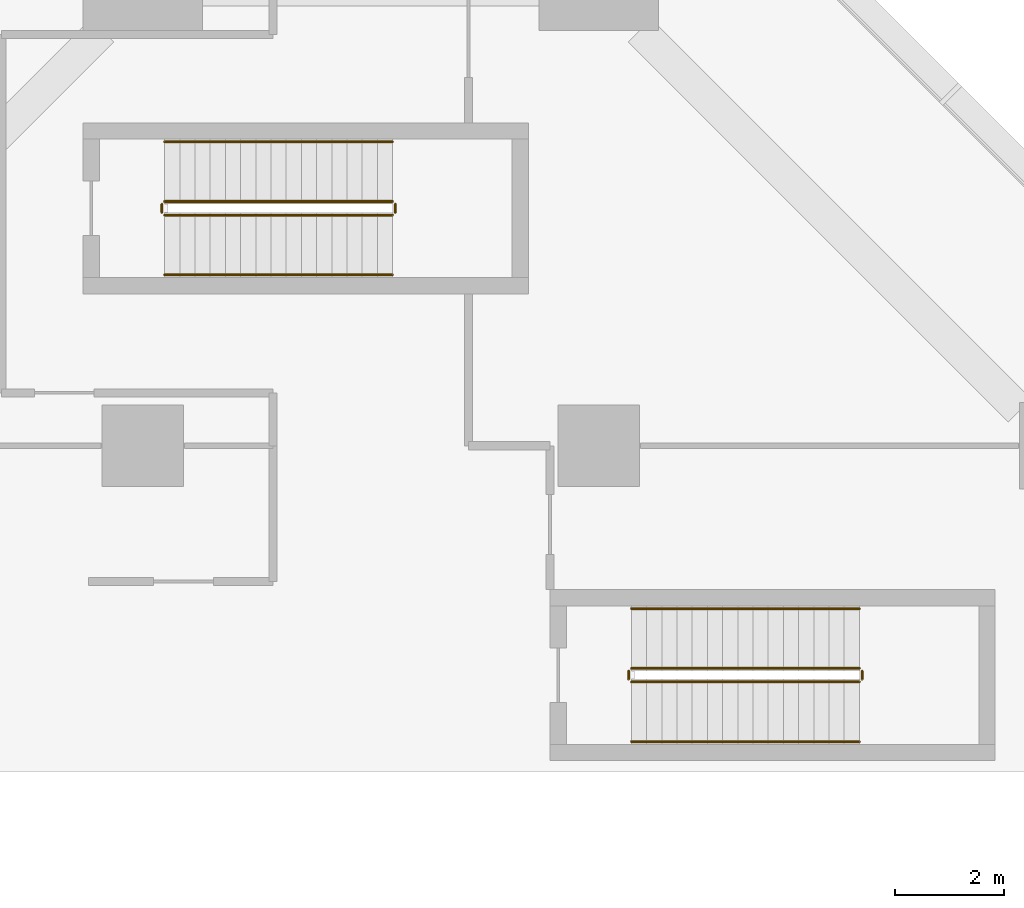
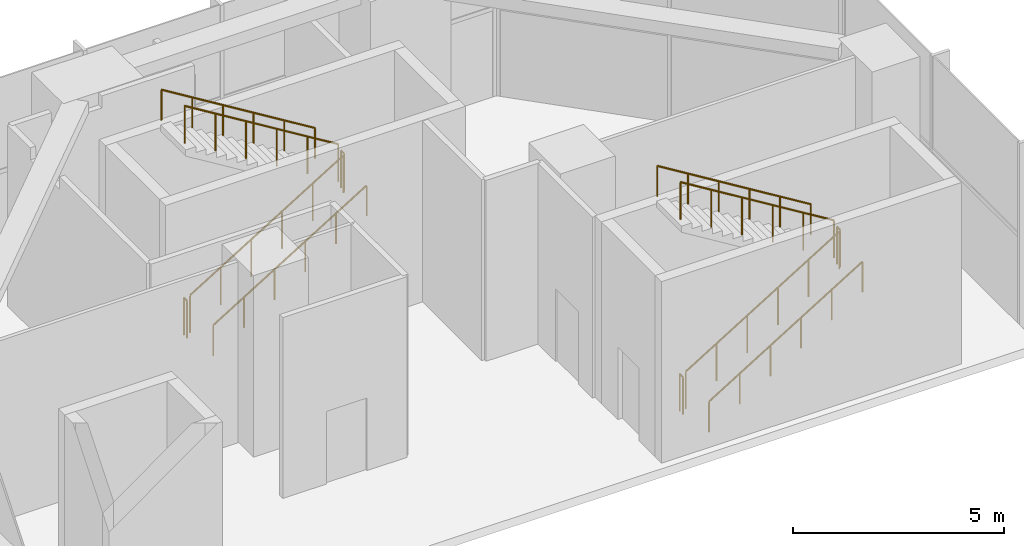
# One storey, part 16 of 16: 12 railings.
"""IFC4 building model written with IfcOpenShell, lengths in metres."""

from ifc_helpers import new_model, si_unit, direction, frame, origin, origin_2d, place, context, subcontext, project, spatial, circle, extrude, material, type_object, element, save


model = new_model("IFC4")

# Units and contexts
model_context = context("Model", 3, precision=1e-05, world=origin(), true_north=direction((0.0, 1.0)))
body_context = subcontext(model_context, "Body", "Model", "MODEL_VIEW")
ifc_project = project(units=[si_unit("LENGTHUNIT", "METRE"), si_unit("AREAUNIT", "SQUARE_METRE"), si_unit("VOLUMEUNIT", "CUBIC_METRE"), si_unit("PLANEANGLEUNIT", "RADIAN"), si_unit("MASSUNIT", "GRAM", prefix="KILO")], contexts=[model_context])

# Site, building, storey
site_placement = place(None, origin())
site = spatial("IfcSite", under=ifc_project, at=site_placement, CompositionType="ELEMENT")
building_placement = place(site_placement, origin())
building = spatial("IfcBuilding", under=site, at=building_placement, Name="Brevane Broadcast Tower", CompositionType="ELEMENT")
storey_placement = place(building_placement, frame((0.0, 0.0, 7.0)))
storey = spatial("IfcBuildingStorey", under=building, at=storey_placement, Name="L01", CompositionType="ELEMENT", Elevation=7.0)

# Railings
ifc_material = material(Name="Steel S355", Category="steel")
railing_type_1 = type_object("IfcRailingType", Name="Exit stair guard", PredefinedType="GUARDRAIL", material=ifc_material)
railing_1_placement = place(storey_placement, frame((17.39990234375, 54.449951171875, 0.171875)))
element("IfcRailing", 1, at=railing_1_placement, inside=storey, type_object=railing_type_1, Name="L01 ST-5 stair guard 1", PredefinedType="GUARDRAIL", context=body_context, shape_type="SweptSolid", body=[
    extrude(circle(Radius=0.02392578125, at=origin_2d()), frame((0.0, 0.0, 1.076171875), z_axis=(0.852256472501, 0.0, 0.523124177495), x_axis=(0.0, 1.0, 0.0)), (0.0, 0.0, 1.0), 4.92822265625),
    extrude(circle(Radius=0.02099609375, at=origin_2d()), origin(), (0.0, 0.0, 1.0), 1.052001953125),
    extrude(circle(Radius=0.02099609375, at=origin_2d()), frame((0.840087890625, 0.0, 0.515625)), (0.0, 0.0, 1.0), 1.052001953125),
    extrude(circle(Radius=0.02099609375, at=origin_2d()), frame((1.68017578125, 0.0, 1.03125)), (0.0, 0.0, 1.0), 1.052001953125),
    extrude(circle(Radius=0.02099609375, at=origin_2d()), frame((2.52001953125, 0.0, 1.546875)), (0.0, 0.0, 1.0), 1.052001953125),
    extrude(circle(Radius=0.02099609375, at=origin_2d()), frame((3.360107421875, 0.0, 2.0625)), (0.0, 0.0, 1.0), 1.052001953125),
    extrude(circle(Radius=0.02099609375, at=origin_2d()), frame((4.2001953125, 0.0, 2.578125)), (0.0, 0.0, 1.0), 1.052001953125),
])
railing_2_placement = place(storey_placement, frame((21.64990234375, 54.5, 2.75)))
element("IfcRailing", 2, at=railing_2_placement, inside=storey, type_object=railing_type_1, Name="L01 ST-5 stair guard 2", PredefinedType="GUARDRAIL", context=body_context, shape_type="SweptSolid", body=[
    extrude(circle(Radius=0.02392578125, at=origin_2d()), frame((0.0, 0.0, 1.076171875), z_axis=(0.0, 1.0, 0.0), x_axis=(-1.0, 0.0, 0.0)), (0.0, 0.0, 1.0), 0.14990234375),
    extrude(circle(Radius=0.02099609375, at=origin_2d()), origin(), (0.0, 0.0, 1.0), 1.052001953125),
    extrude(circle(Radius=0.02099609375, at=origin_2d()), frame((0.0, 0.14990234375, 0.0)), (0.0, 0.0, 1.0), 1.052001953125),
])
railing_3_placement = place(storey_placement, frame((21.60009765625, 54.699951171875, 2.921875)))
element("IfcRailing", 3, at=railing_3_placement, inside=storey, type_object=railing_type_1, Name="L01 ST-5 stair guard 3", PredefinedType="GUARDRAIL", context=body_context, shape_type="SweptSolid", body=[
    extrude(circle(Radius=0.02392578125, at=origin_2d()), frame((0.0, 0.0, 1.076171875), z_axis=(-0.852256472501, 0.0, 0.523124177495), x_axis=(0.0, -1.0, 0.0)), (0.0, 0.0, 1.0), 4.92822265625),
    extrude(circle(Radius=0.02099609375, at=origin_2d()), origin(), (0.0, 0.0, 1.0), 1.052001953125),
    extrude(circle(Radius=0.02099609375, at=origin_2d()), frame((-0.840087890625, 0.0, 0.515625)), (0.0, 0.0, 1.0), 1.052001953125),
    extrude(circle(Radius=0.02099609375, at=origin_2d()), frame((-1.68017578125, 0.0, 1.03125)), (0.0, 0.0, 1.0), 1.052001953125),
    extrude(circle(Radius=0.02099609375, at=origin_2d()), frame((-2.52001953125, 0.0, 1.546875)), (0.0, 0.0, 1.0), 1.052001953125),
    extrude(circle(Radius=0.02099609375, at=origin_2d()), frame((-3.360107421875, 0.0, 2.0625)), (0.0, 0.0, 1.0), 1.052001953125),
    extrude(circle(Radius=0.02099609375, at=origin_2d()), frame((-4.2001953125, 0.0, 2.578125)), (0.0, 0.0, 1.0), 1.052001953125),
])
railing_4_placement = place(storey_placement, frame((17.35009765625, 54.5, 0.0)))
element("IfcRailing", 4, at=railing_4_placement, inside=storey, type_object=railing_type_1, Name="L01 ST-5 stair guard 4", PredefinedType="GUARDRAIL", context=body_context, shape_type="SweptSolid", body=[
    extrude(circle(Radius=0.02392578125, at=origin_2d()), frame((0.0, 0.0, 1.076171875), z_axis=(0.0, 1.0, 0.0), x_axis=(-1.0, 0.0, 0.0)), (0.0, 0.0, 1.0), 0.14990234375),
    extrude(circle(Radius=0.02099609375, at=origin_2d()), origin(), (0.0, 0.0, 1.0), 1.052001953125),
    extrude(circle(Radius=0.02099609375, at=origin_2d()), frame((0.0, 0.14990234375, 0.0)), (0.0, 0.0, 1.0), 1.052001953125),
])
railing_5_placement = place(storey_placement, frame((8.800048828125, 63.050048828125, 0.171875)))
element("IfcRailing", 5, at=railing_5_placement, inside=storey, type_object=railing_type_1, Name="L01 ST-6 stair guard 1", PredefinedType="GUARDRAIL", context=body_context, shape_type="SweptSolid", body=[
    extrude(circle(Radius=0.02392578125, at=origin_2d()), frame((0.0, 0.0, 1.076171875), z_axis=(0.852242915053, 0.0, 0.523146264196), x_axis=(0.0, 1.0, 0.0)), (0.0, 0.0, 1.0), 4.92822265625),
    extrude(circle(Radius=0.02099609375, at=origin_2d()), origin(), (0.0, 0.0, 1.0), 1.052001953125),
    extrude(circle(Radius=0.02099609375, at=origin_2d()), frame((0.840087890625, 0.0, 0.515625)), (0.0, 0.0, 1.0), 1.052001953125),
    extrude(circle(Radius=0.02099609375, at=origin_2d()), frame((1.679931640625, 0.0, 1.03125)), (0.0, 0.0, 1.0), 1.052001953125),
    extrude(circle(Radius=0.02099609375, at=origin_2d()), frame((2.52001953125, 0.0, 1.546875)), (0.0, 0.0, 1.0), 1.052001953125),
    extrude(circle(Radius=0.02099609375, at=origin_2d()), frame((3.35986328125, 0.0, 2.0625)), (0.0, 0.0, 1.0), 1.052001953125),
    extrude(circle(Radius=0.02099609375, at=origin_2d()), frame((4.199951171875, 0.0, 2.578125)), (0.0, 0.0, 1.0), 1.052001953125),
])
railing_6_placement = place(storey_placement, frame((13.050048828125, 63.10009765625, 2.75)))
element("IfcRailing", 6, at=railing_6_placement, inside=storey, type_object=railing_type_1, Name="L01 ST-6 stair guard 2", PredefinedType="GUARDRAIL", context=body_context, shape_type="SweptSolid", body=[
    extrude(circle(Radius=0.02392578125, at=origin_2d()), frame((0.0, 0.0, 1.076171875), z_axis=(0.0, 1.0, 0.0), x_axis=(-1.0, 0.0, 0.0)), (0.0, 0.0, 1.0), 0.14990234375),
    extrude(circle(Radius=0.02099609375, at=origin_2d()), origin(), (0.0, 0.0, 1.0), 1.052001953125),
    extrude(circle(Radius=0.02099609375, at=origin_2d()), frame((0.0, 0.14990234375, 0.0)), (0.0, 0.0, 1.0), 1.052001953125),
])
railing_7_placement = place(storey_placement, frame((13.0, 63.300048828125, 2.921875)))
element("IfcRailing", 7, at=railing_7_placement, inside=storey, type_object=railing_type_1, Name="L01 ST-6 stair guard 3", PredefinedType="GUARDRAIL", context=body_context, shape_type="SweptSolid", body=[
    extrude(circle(Radius=0.02392578125, at=origin_2d()), frame((0.0, 0.0, 1.076171875), z_axis=(-0.852242915053, 0.0, 0.523146264196), x_axis=(0.0, -1.0, 0.0)), (0.0, 0.0, 1.0), 4.92822265625),
    extrude(circle(Radius=0.02099609375, at=origin_2d()), origin(), (0.0, 0.0, 1.0), 1.052001953125),
    extrude(circle(Radius=0.02099609375, at=origin_2d()), frame((-0.840087890625, 0.0, 0.515625)), (0.0, 0.0, 1.0), 1.052001953125),
    extrude(circle(Radius=0.02099609375, at=origin_2d()), frame((-1.679931640625, 0.0, 1.03125)), (0.0, 0.0, 1.0), 1.052001953125),
    extrude(circle(Radius=0.02099609375, at=origin_2d()), frame((-2.52001953125, 0.0, 1.546875)), (0.0, 0.0, 1.0), 1.052001953125),
    extrude(circle(Radius=0.02099609375, at=origin_2d()), frame((-3.35986328125, 0.0, 2.0625)), (0.0, 0.0, 1.0), 1.052001953125),
    extrude(circle(Radius=0.02099609375, at=origin_2d()), frame((-4.199951171875, 0.0, 2.578125)), (0.0, 0.0, 1.0), 1.052001953125),
])
railing_8_placement = place(storey_placement, frame((8.75, 63.10009765625, 0.0)))
element("IfcRailing", 8, at=railing_8_placement, inside=storey, type_object=railing_type_1, Name="L01 ST-6 stair guard 4", PredefinedType="GUARDRAIL", context=body_context, shape_type="SweptSolid", body=[
    extrude(circle(Radius=0.02392578125, at=origin_2d()), frame((0.0, 0.0, 1.076171875), z_axis=(0.0, 1.0, 0.0), x_axis=(-1.0, 0.0, 0.0)), (0.0, 0.0, 1.0), 0.14990234375),
    extrude(circle(Radius=0.02099609375, at=origin_2d()), origin(), (0.0, 0.0, 1.0), 1.052001953125),
    extrude(circle(Radius=0.02099609375, at=origin_2d()), frame((0.0, 0.14990234375, 0.0)), (0.0, 0.0, 1.0), 1.052001953125),
])
railing_type_2 = type_object("IfcRailingType", Name="Exit stair handrail", PredefinedType="HANDRAIL", material=ifc_material)
railing_9_placement = place(storey_placement, frame((17.39990234375, 53.35009765625, 0.171875)))
element("IfcRailing", 9, at=railing_9_placement, inside=storey, type_object=railing_type_2, Name="L01 ST-5 stair handrail 1", PredefinedType="HANDRAIL", context=body_context, shape_type="SweptSolid", body=[
    extrude(circle(Radius=0.02392578125, at=origin_2d()), frame((0.0, 0.0, 0.8759765625), z_axis=(0.852256472501, 0.0, 0.523124177495), x_axis=(0.0, 1.0, 0.0)), (0.0, 0.0, 1.0), 4.92822265625),
    extrude(circle(Radius=0.02099609375, at=origin_2d()), origin(), (0.0, 0.0, 1.0), 0.851806640625),
    extrude(circle(Radius=0.02099609375, at=origin_2d()), frame((0.840087890625, 0.0, 0.515625)), (0.0, 0.0, 1.0), 0.851806640625),
    extrude(circle(Radius=0.02099609375, at=origin_2d()), frame((1.68017578125, 0.0, 1.03125)), (0.0, 0.0, 1.0), 0.851806640625),
    extrude(circle(Radius=0.02099609375, at=origin_2d()), frame((2.52001953125, 0.0, 1.546875)), (0.0, 0.0, 1.0), 0.851806640625),
    extrude(circle(Radius=0.02099609375, at=origin_2d()), frame((3.360107421875, 0.0, 2.0625)), (0.0, 0.0, 1.0), 0.851806640625),
    extrude(circle(Radius=0.02099609375, at=origin_2d()), frame((4.2001953125, 0.0, 2.578125)), (0.0, 0.0, 1.0), 0.851806640625),
])
railing_10_placement = place(storey_placement, frame((21.60009765625, 55.800048828125, 2.921875)))
element("IfcRailing", 10, at=railing_10_placement, inside=storey, type_object=railing_type_2, Name="L01 ST-5 stair handrail 2", PredefinedType="HANDRAIL", context=body_context, shape_type="SweptSolid", body=[
    extrude(circle(Radius=0.02392578125, at=origin_2d()), frame((0.0, 0.0, 0.8759765625), z_axis=(-0.852256472501, 0.0, 0.523124177495), x_axis=(0.0, -1.0, 0.0)), (0.0, 0.0, 1.0), 4.92822265625),
    extrude(circle(Radius=0.02099609375, at=origin_2d()), origin(), (0.0, 0.0, 1.0), 0.851806640625),
    extrude(circle(Radius=0.02099609375, at=origin_2d()), frame((-0.840087890625, 0.0, 0.515625)), (0.0, 0.0, 1.0), 0.851806640625),
    extrude(circle(Radius=0.02099609375, at=origin_2d()), frame((-1.68017578125, 0.0, 1.03125)), (0.0, 0.0, 1.0), 0.851806640625),
    extrude(circle(Radius=0.02099609375, at=origin_2d()), frame((-2.52001953125, 0.0, 1.546875)), (0.0, 0.0, 1.0), 0.851806640625),
    extrude(circle(Radius=0.02099609375, at=origin_2d()), frame((-3.360107421875, 0.0, 2.0625)), (0.0, 0.0, 1.0), 0.851806640625),
    extrude(circle(Radius=0.02099609375, at=origin_2d()), frame((-4.2001953125, 0.0, 2.578125)), (0.0, 0.0, 1.0), 0.851806640625),
])
railing_11_placement = place(storey_placement, frame((8.800048828125, 61.949951171875, 0.171875)))
element("IfcRailing", 11, at=railing_11_placement, inside=storey, type_object=railing_type_2, Name="L01 ST-6 stair handrail 1", PredefinedType="HANDRAIL", context=body_context, shape_type="SweptSolid", body=[
    extrude(circle(Radius=0.02392578125, at=origin_2d()), frame((0.0, 0.0, 0.8759765625), z_axis=(0.852242915053, 0.0, 0.523146264196), x_axis=(0.0, 1.0, 0.0)), (0.0, 0.0, 1.0), 4.92822265625),
    extrude(circle(Radius=0.02099609375, at=origin_2d()), origin(), (0.0, 0.0, 1.0), 0.851806640625),
    extrude(circle(Radius=0.02099609375, at=origin_2d()), frame((0.840087890625, 0.0, 0.515625)), (0.0, 0.0, 1.0), 0.851806640625),
    extrude(circle(Radius=0.02099609375, at=origin_2d()), frame((1.679931640625, 0.0, 1.03125)), (0.0, 0.0, 1.0), 0.851806640625),
    extrude(circle(Radius=0.02099609375, at=origin_2d()), frame((2.52001953125, 0.0, 1.546875)), (0.0, 0.0, 1.0), 0.851806640625),
    extrude(circle(Radius=0.02099609375, at=origin_2d()), frame((3.35986328125, 0.0, 2.0625)), (0.0, 0.0, 1.0), 0.851806640625),
    extrude(circle(Radius=0.02099609375, at=origin_2d()), frame((4.199951171875, 0.0, 2.578125)), (0.0, 0.0, 1.0), 0.851806640625),
])
railing_12_placement = place(storey_placement, frame((13.0, 64.39990234375, 2.921875)))
element("IfcRailing", 12, at=railing_12_placement, inside=storey, type_object=railing_type_2, Name="L01 ST-6 stair handrail 2", PredefinedType="HANDRAIL", context=body_context, shape_type="SweptSolid", body=[
    extrude(circle(Radius=0.02392578125, at=origin_2d()), frame((0.0, 0.0, 0.8759765625), z_axis=(-0.852242915053, 0.0, 0.523146264196), x_axis=(0.0, -1.0, 0.0)), (0.0, 0.0, 1.0), 4.92822265625),
    extrude(circle(Radius=0.02099609375, at=origin_2d()), origin(), (0.0, 0.0, 1.0), 0.851806640625),
    extrude(circle(Radius=0.02099609375, at=origin_2d()), frame((-0.840087890625, 0.0, 0.515625)), (0.0, 0.0, 1.0), 0.851806640625),
    extrude(circle(Radius=0.02099609375, at=origin_2d()), frame((-1.679931640625, 0.0, 1.03125)), (0.0, 0.0, 1.0), 0.851806640625),
    extrude(circle(Radius=0.02099609375, at=origin_2d()), frame((-2.52001953125, 0.0, 1.546875)), (0.0, 0.0, 1.0), 0.851806640625),
    extrude(circle(Radius=0.02099609375, at=origin_2d()), frame((-3.35986328125, 0.0, 2.0625)), (0.0, 0.0, 1.0), 0.851806640625),
    extrude(circle(Radius=0.02099609375, at=origin_2d()), frame((-4.199951171875, 0.0, 2.578125)), (0.0, 0.0, 1.0), 0.851806640625),
])

save(model, "model.ifc")
